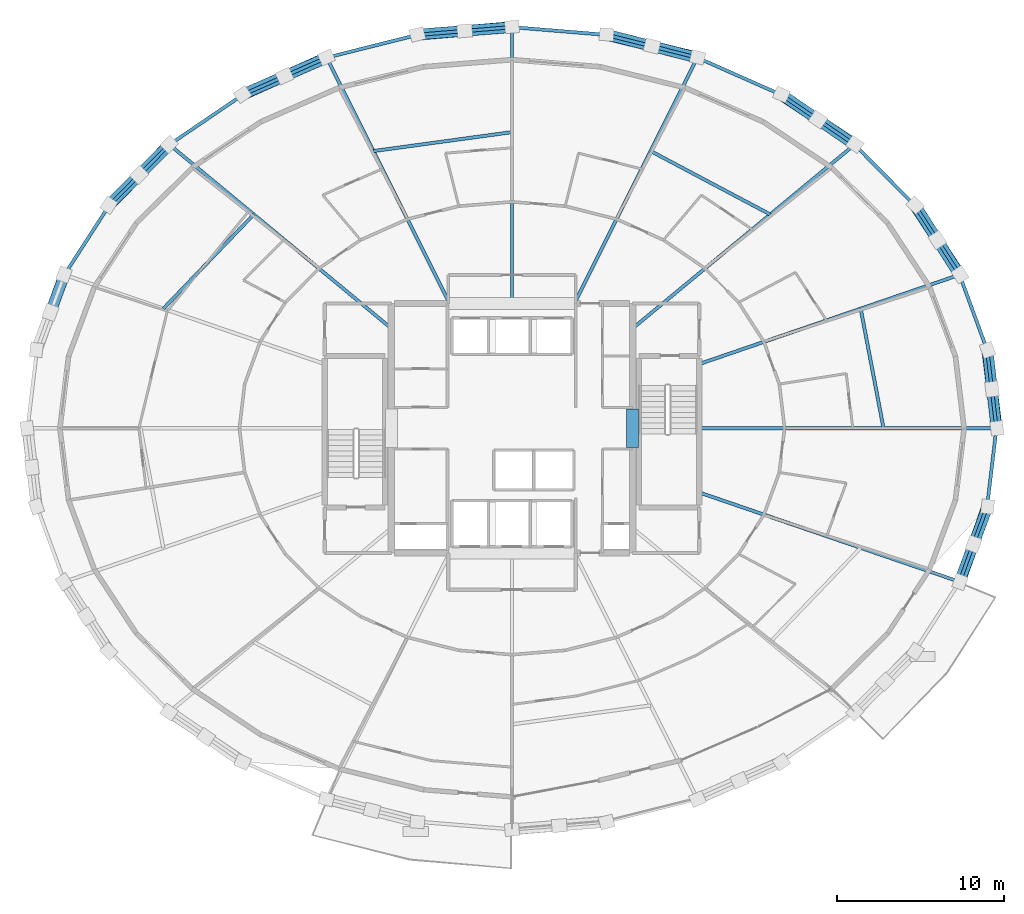
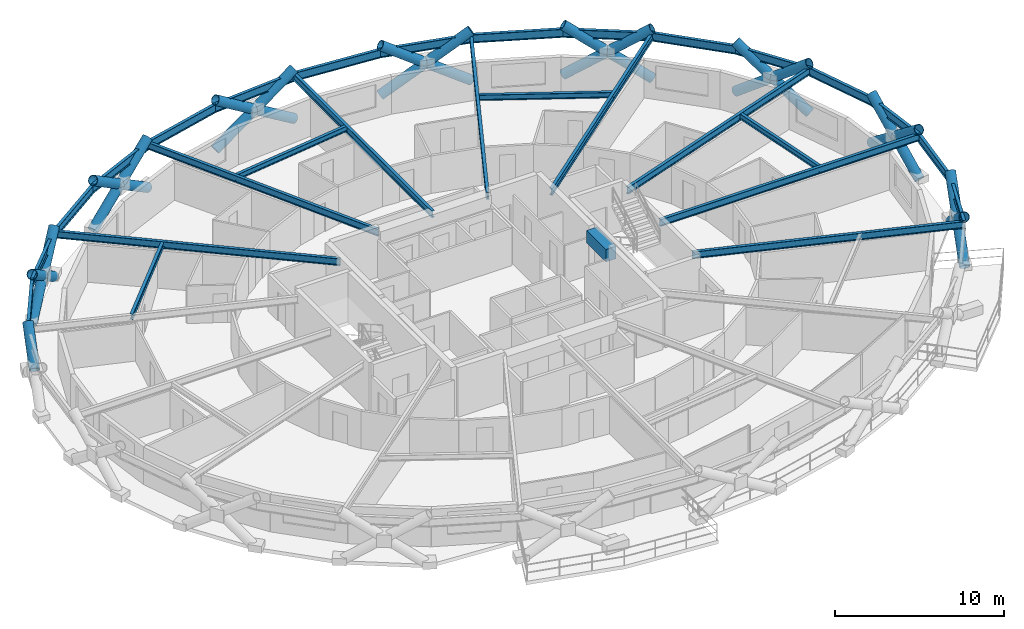
# One storey, part 7 of 14: 29 beams, 25 members.
"""IFC4 building model written with IfcOpenShell, lengths in metres."""

from ifc_helpers import new_model, si_unit, direction, frame, origin, origin_2d, place, context, subcontext, project, spatial, rectangle, hollow_circle, i_section, extrude, material, material_profile, profile_set, type_object, element, save


model = new_model("IFC4")

# Units and contexts
model_context = context("Model", 3, precision=1e-05, world=origin(), true_north=direction((0.0, 1.0)))
body_context = subcontext(model_context, "Body", "Model", "MODEL_VIEW")
ifc_project = project(units=[si_unit("LENGTHUNIT", "METRE"), si_unit("AREAUNIT", "SQUARE_METRE"), si_unit("VOLUMEUNIT", "CUBIC_METRE"), si_unit("PLANEANGLEUNIT", "RADIAN"), si_unit("MASSUNIT", "GRAM", prefix="KILO")], contexts=[model_context])

# Site, building, storey
site_placement = place(None, origin())
site = spatial("IfcSite", under=ifc_project, at=site_placement, CompositionType="ELEMENT")
building_placement = place(site_placement, origin())
building = spatial("IfcBuilding", under=site, at=building_placement, Name="Veldorina Hangang Commons", CompositionType="ELEMENT")
storey_placement = place(building_placement, frame((0.0, 0.0, 88.0)))
storey = spatial("IfcBuildingStorey", under=building, at=storey_placement, Name="L22", CompositionType="ELEMENT", Elevation=88.0)

# Beams
ifc_material_1 = material(Name="Concrete C70/85", Category="concrete")
ifc_material_profile_1 = material_profile(ifc_material_1, rectangle(XDim=0.699951171875, YDim=0.89990234375, at=origin_2d()), Name="RC-CB-700x900")
ifc_profile_set_1 = profile_set([ifc_material_profile_1], Name="Concrete C70/85")
beam_type_1 = type_object("IfcBeamType", Name="BM-CB900", PredefinedType="LINTEL", material=ifc_profile_set_1)
beam_1_placement = place(storey_placement, frame((39.199951171875, 22.85009765625, 2.889892578125), z_axis=(0.0, 1.0, 0.0), x_axis=(-1.0, 0.0, 0.0)))
element("IfcBeam", 1, at=beam_1_placement, inside=storey, type_object=beam_type_1, Name="L22 E core coupling lintel beam", PredefinedType="LINTEL", context=body_context, shape_type="SweptSolid", body=[
    extrude(rectangle(XDim=0.699951171875, YDim=0.89990234375, at=origin_2d()), origin(), (0.0, 0.0, 1.0), 2.2998046875),
])
ifc_material_2 = material(Name="Steel SM420-TMC", Category="steel")
ifc_material_profile_2 = material_profile(ifc_material_2, i_section(OverallWidth=0.199951171875, OverallDepth=0.5, WebThickness=0.010009765625, FlangeThickness=0.01611328125, FilletRadius=0.01611328125, at=origin_2d()), Name="H-500x200x10x16")
ifc_profile_set_2 = profile_set([ifc_material_profile_2], Name="Steel SM420-TMC")
beam_type_2 = type_object("IfcBeamType", Name="BM-FG500", PredefinedType="BEAM", material=ifc_profile_set_2)
beam_2_placement = place(storey_placement, frame((43.179931640625, 24.0, 3.090087890625), z_axis=(1.0, 0.0, 0.0), x_axis=(0.0, 1.0, 0.0)))
element("IfcBeam", 2, at=beam_2_placement, inside=storey, type_object=beam_type_2, Name="L22 radial floor girder 01", PredefinedType="BEAM", context=body_context, shape_type="SweptSolid", body=[
    extrude(i_section(OverallWidth=0.199951171875, OverallDepth=0.5, WebThickness=0.010009765625, FlangeThickness=0.01611328125, FilletRadius=0.01611328125, at=origin_2d()), origin(), (0.0, 0.0, 1.0), 17.746337890625),
])
beam_3_placement = place(storey_placement, frame((43.179931640625, 27.833984375, 3.090087890625), z_axis=(0.945921851498, 0.32439459129, 0.0), x_axis=(-0.32439459129, 0.945921851498, 0.0)))
element("IfcBeam", 3, at=beam_3_placement, inside=storey, type_object=beam_type_2, Name="L22 radial floor girder 02", PredefinedType="BEAM", context=body_context, shape_type="SweptSolid", body=[
    extrude(i_section(OverallWidth=0.199951171875, OverallDepth=0.5, WebThickness=0.010009765625, FlangeThickness=0.01611328125, FilletRadius=0.01611328125, at=origin_2d()), origin(), (0.0, 0.0, 1.0), 16.43310546875),
])
beam_4_placement = place(storey_placement, frame((39.199951171875, 29.9609375, 3.090087890625), z_axis=(0.770268862068, 0.637719280035, 0.0), x_axis=(-0.637719280035, 0.770268862068, 0.0)))
element("IfcBeam", 4, at=beam_4_placement, inside=storey, type_object=beam_type_2, Name="L22 radial floor girder 03", PredefinedType="BEAM", context=body_context, shape_type="SweptSolid", body=[
    extrude(i_section(OverallWidth=0.199951171875, OverallDepth=0.5, WebThickness=0.010009765625, FlangeThickness=0.01611328125, FilletRadius=0.01611328125, at=origin_2d()), origin(), (0.0, 0.0, 1.0), 17.206787109375),
])
beam_5_placement = place(storey_placement, frame((35.727294921875, 31.449951171875, 3.090087890625), z_axis=(0.447439726176, 0.894314089926, 0.0), x_axis=(-0.894314089926, 0.447439726176, 0.0)))
element("IfcBeam", 5, at=beam_5_placement, inside=storey, type_object=beam_type_2, Name="L22 radial floor girder 04", PredefinedType="BEAM", context=body_context, shape_type="SweptSolid", body=[
    extrude(i_section(OverallWidth=0.199951171875, OverallDepth=0.5, WebThickness=0.010009765625, FlangeThickness=0.01611328125, FilletRadius=0.01611328125, at=origin_2d()), origin(), (0.0, 0.0, 1.0), 16.40966796875),
])
beam_6_placement = place(storey_placement, frame((32.0, 31.449951171875, 3.090087890625), z_axis=(0.0, 1.0, 0.0), x_axis=(-1.0, 0.0, 0.0)))
element("IfcBeam", 6, at=beam_6_placement, inside=storey, type_object=beam_type_2, Name="L22 radial floor girder 05", PredefinedType="BEAM", context=body_context, shape_type="SweptSolid", body=[
    extrude(i_section(OverallWidth=0.199951171875, OverallDepth=0.5, WebThickness=0.010009765625, FlangeThickness=0.01611328125, FilletRadius=0.01611328125, at=origin_2d()), origin(), (0.0, 0.0, 1.0), 16.498291015625),
])
beam_7_placement = place(storey_placement, frame((28.272705078125, 31.449951171875, 3.090087890625), z_axis=(-0.447439726176, 0.894314089926, 0.0), x_axis=(-0.894314089926, -0.447439726176, 0.0)))
element("IfcBeam", 7, at=beam_7_placement, inside=storey, type_object=beam_type_2, Name="L22 radial floor girder 06", PredefinedType="BEAM", context=body_context, shape_type="SweptSolid", body=[
    extrude(i_section(OverallWidth=0.199951171875, OverallDepth=0.5, WebThickness=0.010009765625, FlangeThickness=0.01611328125, FilletRadius=0.01611328125, at=origin_2d()), origin(), (0.0, 0.0, 1.0), 16.40966796875),
])
beam_8_placement = place(storey_placement, frame((24.800048828125, 29.9609375, 3.090087890625), z_axis=(-0.770268862068, 0.637719280035, 0.0), x_axis=(-0.637719280035, -0.770268862068, 0.0)))
element("IfcBeam", 8, at=beam_8_placement, inside=storey, type_object=beam_type_2, Name="L22 radial floor girder 07", PredefinedType="BEAM", context=body_context, shape_type="SweptSolid", body=[
    extrude(i_section(OverallWidth=0.199951171875, OverallDepth=0.5, WebThickness=0.010009765625, FlangeThickness=0.01611328125, FilletRadius=0.01611328125, at=origin_2d()), origin(), (0.0, 0.0, 1.0), 17.206787109375),
])
beam_9_placement = place(storey_placement, frame((43.179931640625, 20.166015625, 3.090087890625), z_axis=(0.945921851498, -0.32439459129, 0.0), x_axis=(0.32439459129, 0.945921851498, 0.0)))
element("IfcBeam", 9, at=beam_9_placement, inside=storey, type_object=beam_type_2, Name="L22 radial floor girder 16", PredefinedType="BEAM", context=body_context, shape_type="SweptSolid", body=[
    extrude(i_section(OverallWidth=0.199951171875, OverallDepth=0.5, WebThickness=0.010009765625, FlangeThickness=0.01611328125, FilletRadius=0.01611328125, at=origin_2d()), origin(), (0.0, 0.0, 1.0), 16.43310546875),
])
ifc_material_3 = material(Name="Steel SM355-TMC", Category="steel")
ifc_material_profile_3 = material_profile(ifc_material_3, i_section(OverallWidth=0.199951171875, OverallDepth=0.39990234375, WebThickness=0.008056640625, FlangeThickness=0.012939453125, FilletRadius=0.012939453125, at=origin_2d()), Name="H-400x200x8x13")
ifc_profile_set_3 = profile_set([ifc_material_profile_3], Name="Steel SM355-TMC")
beam_type_3 = type_object("IfcBeamType", Name="BM-JST400", PredefinedType="JOIST", material=ifc_profile_set_3)
beam_10_placement = place(storey_placement, frame((54.1826171875, 24.0, 3.139892578125), z_axis=(-0.187834422756, 0.982200707406, 0.0), x_axis=(-0.982200707406, -0.187834422756, 0.0)))
element("IfcBeam", 10, at=beam_10_placement, inside=storey, type_object=beam_type_3, Name="L22 secondary floor joist 01", PredefinedType="JOIST", context=body_context, shape_type="SweptSolid", body=[
    extrude(i_section(OverallWidth=0.199951171875, OverallDepth=0.39990234375, WebThickness=0.008056640625, FlangeThickness=0.012939453125, FilletRadius=0.012939453125, at=origin_2d()), origin(), (0.0, 0.0, 1.0), 7.268310546875),
])
beam_11_placement = place(storey_placement, frame((47.41748046875, 36.764404296875, 3.139892578125), z_axis=(-0.883518002063, 0.468397203269, 0.0), x_axis=(-0.468397203269, -0.883518002063, 0.0)))
element("IfcBeam", 11, at=beam_11_placement, inside=storey, type_object=beam_type_3, Name="L22 secondary floor joist 03", PredefinedType="JOIST", context=body_context, shape_type="SweptSolid", body=[
    extrude(i_section(OverallWidth=0.199951171875, OverallDepth=0.39990234375, WebThickness=0.008056640625, FlangeThickness=0.012939453125, FilletRadius=0.012939453125, at=origin_2d()), origin(), (0.0, 0.0, 1.0), 8.0791015625),
])
beam_12_placement = place(storey_placement, frame((32.0, 41.678955078125, 3.139892578125), z_axis=(-0.990808643362, -0.135270958593, 0.0), x_axis=(0.135270958593, -0.990808643362, 0.0)))
element("IfcBeam", 12, at=beam_12_placement, inside=storey, type_object=beam_type_3, Name="L22 secondary floor joist 05", PredefinedType="JOIST", context=body_context, shape_type="SweptSolid", body=[
    extrude(i_section(OverallWidth=0.199951171875, OverallDepth=0.39990234375, WebThickness=0.008056640625, FlangeThickness=0.012939453125, FilletRadius=0.012939453125, at=origin_2d()), origin(), (0.0, 0.0, 1.0), 8.3564453125),
])
beam_13_placement = place(storey_placement, frame((16.58251953125, 36.764404296875, 3.139892578125), z_axis=(-0.692494026945, -0.721423608322, 0.0), x_axis=(0.721423608322, -0.692494026945, 0.0)))
element("IfcBeam", 13, at=beam_13_placement, inside=storey, type_object=beam_type_3, Name="L22 secondary floor joist 07", PredefinedType="JOIST", context=body_context, shape_type="SweptSolid", body=[
    extrude(i_section(OverallWidth=0.199951171875, OverallDepth=0.39990234375, WebThickness=0.008056640625, FlangeThickness=0.012939453125, FilletRadius=0.012939453125, at=origin_2d()), origin(), (0.0, 0.0, 1.0), 7.7978515625),
])
ifc_material_profile_4 = material_profile(ifc_material_2, i_section(OverallWidth=0.199951171875, OverallDepth=0.60009765625, WebThickness=0.010986328125, FlangeThickness=0.01708984375, FilletRadius=0.01806640625, at=origin_2d()), Name="H-600x200x11x17")
ifc_profile_set_4 = profile_set([ifc_material_profile_4], Name="Steel SM420-TMC")
beam_type_4 = type_object("IfcBeamType", Name="BM-RB600", PredefinedType="BEAM", material=ifc_profile_set_4)
beam_14_placement = place(storey_placement, frame((60.92626953125, 24.0, 3.0400390625), z_axis=(-0.118150762233, 0.992995668361, 0.0), x_axis=(-0.992995668361, -0.118150762233, 0.0)))
element("IfcBeam", 14, at=beam_14_placement, inside=storey, type_object=beam_type_4, Name="L22 perimeter hoop ring beam 00", PredefinedType="BEAM", context=body_context, shape_type="SweptSolid", body=[
    extrude(i_section(OverallWidth=0.199951171875, OverallDepth=0.60009765625, WebThickness=0.010986328125, FlangeThickness=0.01708984375, FilletRadius=0.01806640625, at=origin_2d()), origin(), (0.0, 0.0, 1.0), 4.705078125),
])
beam_15_placement = place(storey_placement, frame((60.370361328125, 28.672119140625, 3.0400390625), z_axis=(-0.344011755789, 0.938965341149, 0.0), x_axis=(-0.938965341149, -0.344011755789, 0.0)))
element("IfcBeam", 15, at=beam_15_placement, inside=storey, type_object=beam_type_4, Name="L22 perimeter hoop ring beam 01", PredefinedType="BEAM", context=body_context, shape_type="SweptSolid", body=[
    extrude(i_section(OverallWidth=0.199951171875, OverallDepth=0.60009765625, WebThickness=0.010986328125, FlangeThickness=0.01708984375, FilletRadius=0.01806640625, at=origin_2d()), origin(), (0.0, 0.0, 1.0), 4.78466796875),
])
beam_16_placement = place(storey_placement, frame((58.724365234375, 33.164794921875, 3.0400390625), z_axis=(-0.542419093308, 0.840108044965, 0.0), x_axis=(-0.840108044965, -0.542419093308, 0.0)))
element("IfcBeam", 16, at=beam_16_placement, inside=storey, type_object=beam_type_4, Name="L22 perimeter hoop ring beam 02", PredefinedType="BEAM", context=body_context, shape_type="SweptSolid", body=[
    extrude(i_section(OverallWidth=0.199951171875, OverallDepth=0.60009765625, WebThickness=0.010986328125, FlangeThickness=0.01708984375, FilletRadius=0.01806640625, at=origin_2d()), origin(), (0.0, 0.0, 1.0), 4.927978515625),
])
beam_17_placement = place(storey_placement, frame((56.05126953125, 37.304931640625, 3.0400390625), z_axis=(-0.703994455106, 0.710205468283, 0.0), x_axis=(-0.710205468283, -0.703994455106, 0.0)))
element("IfcBeam", 17, at=beam_17_placement, inside=storey, type_object=beam_type_4, Name="L22 perimeter hoop ring beam 03", PredefinedType="BEAM", context=body_context, shape_type="SweptSolid", body=[
    extrude(i_section(OverallWidth=0.199951171875, OverallDepth=0.60009765625, WebThickness=0.010986328125, FlangeThickness=0.01708984375, FilletRadius=0.01806640625, at=origin_2d()), origin(), (0.0, 0.0, 1.0), 5.110107421875),
])
beam_18_placement = place(storey_placement, frame((52.453857421875, 40.93408203125, 3.0400390625), z_axis=(-0.827134666124, 0.562003775874, 0.0), x_axis=(-0.562003775874, -0.827134666124, 0.0)))
element("IfcBeam", 18, at=beam_18_placement, inside=storey, type_object=beam_type_4, Name="L22 perimeter hoop ring beam 04", PredefinedType="BEAM", context=body_context, shape_type="SweptSolid", body=[
    extrude(i_section(OverallWidth=0.199951171875, OverallDepth=0.60009765625, WebThickness=0.010986328125, FlangeThickness=0.01708984375, FilletRadius=0.01806640625, at=origin_2d()), origin(), (0.0, 0.0, 1.0), 5.29931640625),
])
beam_19_placement = place(storey_placement, frame((48.070556640625, 43.912353515625, 3.0400390625), z_axis=(-0.914473077645, 0.404646747499, 0.0), x_axis=(-0.404646747499, -0.914473077645, 0.0)))
element("IfcBeam", 19, at=beam_19_placement, inside=storey, type_object=beam_type_4, Name="L22 perimeter hoop ring beam 05", PredefinedType="BEAM", context=body_context, shape_type="SweptSolid", body=[
    extrude(i_section(OverallWidth=0.199951171875, OverallDepth=0.60009765625, WebThickness=0.010986328125, FlangeThickness=0.01708984375, FilletRadius=0.01806640625, at=origin_2d()), origin(), (0.0, 0.0, 1.0), 5.46875),
])
beam_20_placement = place(storey_placement, frame((43.069580078125, 46.125244140625, 3.0400390625), z_axis=(-0.969880111736, 0.243582776195, 0.0), x_axis=(-0.243582776195, -0.969880111736, 0.0)))
element("IfcBeam", 20, at=beam_20_placement, inside=storey, type_object=beam_type_4, Name="L22 perimeter hoop ring beam 06", PredefinedType="BEAM", context=body_context, shape_type="SweptSolid", body=[
    extrude(i_section(OverallWidth=0.199951171875, OverallDepth=0.60009765625, WebThickness=0.010986328125, FlangeThickness=0.01708984375, FilletRadius=0.01806640625, at=origin_2d()), origin(), (0.0, 0.0, 1.0), 5.5947265625),
])
for number, where, z_axis, x_axis, name in (
    (21, (37.643310546875, 47.488037109375, 3.0400390625), (-0.99669139149, 0.081278964869, 0.0), (-0.081278964869, -0.99669139149, 0.0), "L22 perimeter hoop ring beam 07"),
    (22, (32.0, 47.9482421875, 3.0400390625), (-0.99669139149, -0.081278964869, 0.0), (0.081278964869, -0.99669139149, 0.0), "L22 perimeter hoop ring beam 08"),
):
    element("IfcBeam", number, at=place(storey_placement, frame(where, z_axis=z_axis, x_axis=x_axis)), inside=storey, type_object=beam_type_4, Name=name, PredefinedType="BEAM", context=body_context, shape_type="SweptSolid", body=[
        extrude(i_section(OverallWidth=0.199951171875, OverallDepth=0.60009765625, WebThickness=0.010986328125, FlangeThickness=0.01708984375, FilletRadius=0.01806640625, at=origin_2d()), origin(), (0.0, 0.0, 1.0), 5.662109375),
    ])
beam_21_placement = place(storey_placement, frame((26.356689453125, 47.488037109375, 3.0400390625), z_axis=(-0.969880111736, -0.243582776195, 0.0), x_axis=(0.243582776195, -0.969880111736, 0.0)))
element("IfcBeam", 23, at=beam_21_placement, inside=storey, type_object=beam_type_4, Name="L22 perimeter hoop ring beam 09", PredefinedType="BEAM", context=body_context, shape_type="SweptSolid", body=[
    extrude(i_section(OverallWidth=0.199951171875, OverallDepth=0.60009765625, WebThickness=0.010986328125, FlangeThickness=0.01708984375, FilletRadius=0.01806640625, at=origin_2d()), origin(), (0.0, 0.0, 1.0), 5.5947265625),
])
beam_22_placement = place(storey_placement, frame((20.930419921875, 46.125244140625, 3.0400390625), z_axis=(-0.914473077645, -0.404646747499, 0.0), x_axis=(0.404646747499, -0.914473077645, 0.0)))
element("IfcBeam", 24, at=beam_22_placement, inside=storey, type_object=beam_type_4, Name="L22 perimeter hoop ring beam 10", PredefinedType="BEAM", context=body_context, shape_type="SweptSolid", body=[
    extrude(i_section(OverallWidth=0.199951171875, OverallDepth=0.60009765625, WebThickness=0.010986328125, FlangeThickness=0.01708984375, FilletRadius=0.01806640625, at=origin_2d()), origin(), (0.0, 0.0, 1.0), 5.46875),
])
beam_23_placement = place(storey_placement, frame((15.929443359375, 43.912353515625, 3.0400390625), z_axis=(-0.827134666124, -0.562003775874, 0.0), x_axis=(0.562003775874, -0.827134666124, 0.0)))
element("IfcBeam", 25, at=beam_23_placement, inside=storey, type_object=beam_type_4, Name="L22 perimeter hoop ring beam 11", PredefinedType="BEAM", context=body_context, shape_type="SweptSolid", body=[
    extrude(i_section(OverallWidth=0.199951171875, OverallDepth=0.60009765625, WebThickness=0.010986328125, FlangeThickness=0.01708984375, FilletRadius=0.01806640625, at=origin_2d()), origin(), (0.0, 0.0, 1.0), 5.29931640625),
])
beam_24_placement = place(storey_placement, frame((11.546142578125, 40.93408203125, 3.0400390625), z_axis=(-0.703994455106, -0.710205468283, 0.0), x_axis=(0.710205468283, -0.703994455106, 0.0)))
element("IfcBeam", 26, at=beam_24_placement, inside=storey, type_object=beam_type_4, Name="L22 perimeter hoop ring beam 12", PredefinedType="BEAM", context=body_context, shape_type="SweptSolid", body=[
    extrude(i_section(OverallWidth=0.199951171875, OverallDepth=0.60009765625, WebThickness=0.010986328125, FlangeThickness=0.01708984375, FilletRadius=0.01806640625, at=origin_2d()), origin(), (0.0, 0.0, 1.0), 5.110107421875),
])
beam_25_placement = place(storey_placement, frame((7.94873046875, 37.304931640625, 3.0400390625), z_axis=(-0.542419093308, -0.840108044965, 0.0), x_axis=(0.840108044965, -0.542419093308, 0.0)))
element("IfcBeam", 27, at=beam_25_placement, inside=storey, type_object=beam_type_4, Name="L22 perimeter hoop ring beam 13", PredefinedType="BEAM", context=body_context, shape_type="SweptSolid", body=[
    extrude(i_section(OverallWidth=0.199951171875, OverallDepth=0.60009765625, WebThickness=0.010986328125, FlangeThickness=0.01708984375, FilletRadius=0.01806640625, at=origin_2d()), origin(), (0.0, 0.0, 1.0), 4.927978515625),
])
beam_26_placement = place(storey_placement, frame((58.724365234375, 14.835205078125, 3.0400390625), z_axis=(0.344011755789, 0.938965341149, 0.0), x_axis=(-0.938965341149, 0.344011755789, 0.0)))
element("IfcBeam", 28, at=beam_26_placement, inside=storey, type_object=beam_type_4, Name="L22 perimeter hoop ring beam 30", PredefinedType="BEAM", context=body_context, shape_type="SweptSolid", body=[
    extrude(i_section(OverallWidth=0.199951171875, OverallDepth=0.60009765625, WebThickness=0.010986328125, FlangeThickness=0.01708984375, FilletRadius=0.01806640625, at=origin_2d()), origin(), (0.0, 0.0, 1.0), 4.78466796875),
])
beam_27_placement = place(storey_placement, frame((60.370361328125, 19.327880859375, 3.0400390625), z_axis=(0.118150762233, 0.992995668361, 0.0), x_axis=(-0.992995668361, 0.118150762233, 0.0)))
element("IfcBeam", 29, at=beam_27_placement, inside=storey, type_object=beam_type_4, Name="L22 perimeter hoop ring beam 31", PredefinedType="BEAM", context=body_context, shape_type="SweptSolid", body=[
    extrude(i_section(OverallWidth=0.199951171875, OverallDepth=0.60009765625, WebThickness=0.010986328125, FlangeThickness=0.01708984375, FilletRadius=0.01806640625, at=origin_2d()), origin(), (0.0, 0.0, 1.0), 4.705078125),
])

# Members
ifc_material_4 = material(Name="Steel SM460-TMC", Category="steel")
ifc_material_profile_5 = material_profile(ifc_material_4, hollow_circle(Radius=0.324951171875, WallThickness=0.031982421875, at=origin_2d()), Name="CHS-650x32")
ifc_profile_set_5 = profile_set([ifc_material_profile_5], Name="Steel SM460-TMC")
member_type = type_object("IfcMemberType", Name="DG-CHS650", PredefinedType="BRACE", material=ifc_profile_set_5)
member_1_placement = place(storey_placement, frame((60.95166015625, 24.0, 0.0), z_axis=(-0.098863888607, 0.78819235192, 0.607436208917), x_axis=(-0.992225132859, -0.124455958966, 0.0)))
element("IfcMember", 30, at=member_1_placement, inside=storey, type_object=member_type, Name="L22 continuous perimeter diagrid brace 00", PredefinedType="BRACE", context=body_context, shape_type="SweptSolid", body=[
    extrude(hollow_circle(Radius=0.324951171875, WallThickness=0.031982421875, at=origin_2d()), origin(), (0.0, 0.0, 1.0), 5.9267578125),
])
member_2_placement = place(storey_placement, frame((60.3955078125, 28.675537109375, 0.0), z_axis=(0.088813907246, -0.789191481924, 0.607691446985), x_axis=(0.993727137686, 0.111831908803, 0.0)))
element("IfcMember", 31, at=member_2_placement, inside=storey, type_object=member_type, Name="L22 split perimeter diagrid lower brace 01", PredefinedType="BRACE", context=body_context, shape_type="SweptSolid", body=[
    extrude(hollow_circle(Radius=0.324951171875, WallThickness=0.031982421875, at=origin_2d()), origin(), (0.0, 0.0, 1.0), 2.96337890625),
])
member_3_placement = place(storey_placement, frame((60.65869140625, 26.3369140625, 1.80078125), z_axis=(0.088717458909, -0.789222599138, 0.607665122822), x_axis=(0.993741115811, 0.111707630653, 0.0)))
element("IfcMember", 32, at=member_3_placement, inside=storey, type_object=member_type, Name="L22 split perimeter diagrid upper brace 01", PredefinedType="BRACE", context=body_context, shape_type="SweptSolid", body=[
    extrude(hollow_circle(Radius=0.324951171875, WallThickness=0.031982421875, at=origin_2d()), origin(), (0.0, 0.0, 1.0), 2.9609375),
])
member_4_placement = place(storey_placement, frame((58.747802734375, 33.17138671875, 0.0), z_axis=(-0.442023574438, 0.676282881314, 0.589284841213), x_axis=(-0.837061095875, -0.547109423948, 0.0)))
element("IfcMember", 33, at=member_4_placement, inside=storey, type_object=member_type, Name="L22 continuous perimeter diagrid brace 02", PredefinedType="BRACE", context=body_context, shape_type="SweptSolid", body=[
    extrude(hollow_circle(Radius=0.324951171875, WallThickness=0.031982421875, at=origin_2d()), origin(), (0.0, 0.0, 1.0), 6.109375),
])
member_5_placement = place(storey_placement, frame((56.072509765625, 37.31494140625, 0.0), z_axis=(0.434086079817, -0.680614966807, 0.590197036817), x_axis=(0.84311822647, 0.537728236374, 0.0)))
element("IfcMember", 34, at=member_5_placement, inside=storey, type_object=member_type, Name="L22 split perimeter diagrid lower brace 03", PredefinedType="BRACE", context=body_context, shape_type="SweptSolid", body=[
    extrude(hollow_circle(Radius=0.324951171875, WallThickness=0.031982421875, at=origin_2d()), origin(), (0.0, 0.0, 1.0), 3.05126953125),
])
member_6_placement = place(storey_placement, frame((57.39697265625, 35.23828125, 1.80078125), z_axis=(0.433984839088, -0.680649039935, 0.590232194884), x_axis=(0.843187284607, 0.537619942968, 0.0)))
element("IfcMember", 35, at=member_6_placement, inside=storey, type_object=member_type, Name="L22 split perimeter diagrid upper brace 03", PredefinedType="BRACE", context=body_context, shape_type="SweptSolid", body=[
    extrude(hollow_circle(Radius=0.324951171875, WallThickness=0.031982421875, at=origin_2d()), origin(), (0.0, 0.0, 1.0), 3.048583984375),
])
member_7_placement = place(storey_placement, frame((52.471923828125, 40.94677734375, 0.0), z_axis=(-0.686679125128, 0.461935317004, 0.561326591227), x_axis=(-0.558166328951, -0.829729081825, 0.0)))
element("IfcMember", 36, at=member_7_placement, inside=storey, type_object=member_type, Name="L22 continuous perimeter diagrid brace 04", PredefinedType="BRACE", context=body_context, shape_type="SweptSolid", body=[
    extrude(hollow_circle(Radius=0.324951171875, WallThickness=0.031982421875, at=origin_2d()), origin(), (0.0, 0.0, 1.0), 6.41357421875),
])
member_8_placement = place(storey_placement, frame((48.084716796875, 43.92724609375, 0.0), z_axis=(0.681905441312, -0.467866711242, 0.562232789528), x_axis=(0.565754031304, 0.824574057355, 0.0)))
element("IfcMember", 37, at=member_8_placement, inside=storey, type_object=member_type, Name="L22 split perimeter diagrid lower brace 05", PredefinedType="BRACE", context=body_context, shape_type="SweptSolid", body=[
    extrude(hollow_circle(Radius=0.324951171875, WallThickness=0.031982421875, at=origin_2d()), origin(), (0.0, 0.0, 1.0), 3.202880859375),
])
member_9_placement = place(storey_placement, frame((50.268798828125, 42.4287109375, 1.80078125), z_axis=(0.681859625784, -0.467848632126, 0.562303395102), x_axis=(0.565765012614, 0.824566522787, 0.0)))
element("IfcMember", 38, at=member_9_placement, inside=storey, type_object=member_type, Name="L22 split perimeter diagrid upper brace 05", PredefinedType="BRACE", context=body_context, shape_type="SweptSolid", body=[
    extrude(hollow_circle(Radius=0.324951171875, WallThickness=0.031982421875, at=origin_2d()), origin(), (0.0, 0.0, 1.0), 3.199951171875),
])
member_10_placement = place(storey_placement, frame((43.079345703125, 46.141845703125, 0.0), z_axis=(-0.816645302248, 0.201722757417, 0.540738734933), x_axis=(-0.239806243825, -0.970820768949, 0.0)))
element("IfcMember", 39, at=member_10_placement, inside=storey, type_object=member_type, Name="L22 continuous perimeter diagrid brace 06", PredefinedType="BRACE", context=body_context, shape_type="SweptSolid", body=[
    extrude(hollow_circle(Radius=0.324951171875, WallThickness=0.031982421875, at=origin_2d()), origin(), (0.0, 0.0, 1.0), 6.65771484375),
])
member_11_placement = place(storey_placement, frame((37.648193359375, 47.505615234375, 0.0), z_axis=(0.814788423455, -0.207934299151, 0.541186799766), x_axis=(0.24727518787, 0.968945293329, 0.0)))
element("IfcMember", 40, at=member_11_placement, inside=storey, type_object=member_type, Name="L22 split perimeter diagrid lower brace 07", PredefinedType="BRACE", context=body_context, shape_type="SweptSolid", body=[
    extrude(hollow_circle(Radius=0.324951171875, WallThickness=0.031982421875, at=origin_2d()), origin(), (0.0, 0.0, 1.0), 3.327392578125),
])
member_12_placement = place(storey_placement, frame((40.359375, 46.813720703125, 1.80078125), z_axis=(0.81473607557, -0.207980220481, 0.541247960785), x_axis=(0.247341376217, 0.968928399631, 0.0)))
element("IfcMember", 41, at=member_12_placement, inside=storey, type_object=member_type, Name="L22 split perimeter diagrid upper brace 07", PredefinedType="BRACE", context=body_context, shape_type="SweptSolid", body=[
    extrude(hollow_circle(Radius=0.324951171875, WallThickness=0.031982421875, at=origin_2d()), origin(), (0.0, 0.0, 1.0), 3.324462890625),
])
member_13_placement = place(storey_placement, frame((32.0, 47.96630859375, 0.0), z_axis=(-0.840843959954, -0.071746972828, 0.536501450975), x_axis=(0.085018395606, -0.996379381766, 0.0)))
element("IfcMember", 42, at=member_13_placement, inside=storey, type_object=member_type, Name="L22 continuous perimeter diagrid brace 08", PredefinedType="BRACE", context=body_context, shape_type="SweptSolid", body=[
    extrude(hollow_circle(Radius=0.324951171875, WallThickness=0.031982421875, at=origin_2d()), origin(), (0.0, 0.0, 1.0), 6.710205078125),
])
member_14_placement = place(storey_placement, frame((26.351806640625, 47.505615234375, 0.0), z_axis=(0.841499907038, 0.065435451558, 0.536279878548), x_axis=(-0.077526461487, 0.996990294722, 0.0)))
element("IfcMember", 43, at=member_14_placement, inside=storey, type_object=member_type, Name="L22 split perimeter diagrid lower brace 09", PredefinedType="BRACE", context=body_context, shape_type="SweptSolid", body=[
    extrude(hollow_circle(Radius=0.324951171875, WallThickness=0.031982421875, at=origin_2d()), origin(), (0.0, 0.0, 1.0), 3.35791015625),
])
member_15_placement = place(storey_placement, frame((29.177490234375, 47.725341796875, 1.80078125), z_axis=(0.841420803143, 0.065502873699, 0.53639575462), x_axis=(-0.077613112844, 0.996983552881, 0.0)))
element("IfcMember", 44, at=member_15_placement, inside=storey, type_object=member_type, Name="L22 split perimeter diagrid upper brace 09", PredefinedType="BRACE", context=body_context, shape_type="SweptSolid", body=[
    extrude(hollow_circle(Radius=0.324951171875, WallThickness=0.031982421875, at=origin_2d()), origin(), (0.0, 0.0, 1.0), 3.3544921875),
])
member_16_placement = place(storey_placement, frame((20.920654296875, 46.141845703125, 0.0), z_axis=(-0.762253072196, -0.34111692322, 0.550099535193), x_axis=(0.408474784072, -0.912769604433, 0.0)))
element("IfcMember", 45, at=member_16_placement, inside=storey, type_object=member_type, Name="L22 continuous perimeter diagrid brace 10", PredefinedType="BRACE", context=body_context, shape_type="SweptSolid", body=[
    extrude(hollow_circle(Radius=0.324951171875, WallThickness=0.031982421875, at=origin_2d()), origin(), (0.0, 0.0, 1.0), 6.54443359375),
])
member_17_placement = place(storey_placement, frame((15.915283203125, 43.92724609375, 0.0), z_axis=(0.765573830905, 0.33490131494, 0.549306670891), x_axis=(-0.400781431685, 0.916173697514, 0.0)))
element("IfcMember", 46, at=member_17_placement, inside=storey, type_object=member_type, Name="L22 split perimeter diagrid lower brace 11", PredefinedType="BRACE", context=body_context, shape_type="SweptSolid", body=[
    extrude(hollow_circle(Radius=0.324951171875, WallThickness=0.031982421875, at=origin_2d()), origin(), (0.0, 0.0, 1.0), 3.2783203125),
])
member_18_placement = place(storey_placement, frame((18.425048828125, 45.025146484375, 1.80078125), z_axis=(0.765479862388, 0.3349952772, 0.549380327763), x_axis=(-0.400917110766, 0.916114332545, 0.0)))
element("IfcMember", 47, at=member_18_placement, inside=storey, type_object=member_type, Name="L22 split perimeter diagrid upper brace 11", PredefinedType="BRACE", context=body_context, shape_type="SweptSolid", body=[
    extrude(hollow_circle(Radius=0.324951171875, WallThickness=0.031982421875, at=origin_2d()), origin(), (0.0, 0.0, 1.0), 3.275146484375),
])
member_19_placement = place(storey_placement, frame((11.528076171875, 40.94677734375, 0.0), z_axis=(-0.572369009052, -0.583312219877, 0.576316381529), x_axis=(0.71377041654, -0.700379748759, 0.0)))
element("IfcMember", 48, at=member_19_placement, inside=storey, type_object=member_type, Name="L22 continuous perimeter diagrid brace 12", PredefinedType="BRACE", context=body_context, shape_type="SweptSolid", body=[
    extrude(hollow_circle(Radius=0.324951171875, WallThickness=0.031982421875, at=origin_2d()), origin(), (0.0, 0.0, 1.0), 6.246826171875),
])
member_20_placement = place(storey_placement, frame((7.927490234375, 37.31494140625, 0.0), z_axis=(0.578856113764, 0.577920210589, 0.575268484927), x_axis=(-0.70653445708, 0.707678642435, 0.0)))
element("IfcMember", 49, at=member_20_placement, inside=storey, type_object=member_type, Name="L22 split perimeter diagrid lower brace 13", PredefinedType="BRACE", context=body_context, shape_type="SweptSolid", body=[
    extrude(hollow_circle(Radius=0.324951171875, WallThickness=0.031982421875, at=origin_2d()), origin(), (0.0, 0.0, 1.0), 3.13037109375),
])
member_21_placement = place(storey_placement, frame((9.739501953125, 39.1240234375, 1.80078125), z_axis=(0.578701599614, 0.577999007627, 0.575344771234), x_axis=(-0.706677146805, 0.707536154682, 0.0)))
element("IfcMember", 50, at=member_21_placement, inside=storey, type_object=member_type, Name="L22 split perimeter diagrid upper brace 13", PredefinedType="BRACE", context=body_context, shape_type="SweptSolid", body=[
    extrude(hollow_circle(Radius=0.324951171875, WallThickness=0.031982421875, at=origin_2d()), origin(), (0.0, 0.0, 1.0), 3.12744140625),
])
member_22_placement = place(storey_placement, frame((4.44287109375, 30.92041015625, 1.80078125), z_axis=(0.279533586012, 0.748928274916, 0.600805636893), x_axis=(-0.936868688967, 0.349681368724, 0.0)))
element("IfcMember", 51, at=member_22_placement, inside=storey, type_object=member_type, Name="L22 split perimeter diagrid upper brace 15", PredefinedType="BRACE", context=body_context, shape_type="SweptSolid", body=[
    extrude(hollow_circle(Radius=0.324951171875, WallThickness=0.031982421875, at=origin_2d()), origin(), (0.0, 0.0, 1.0), 2.994873046875),
])
member_23_placement = place(storey_placement, frame((58.747802734375, 14.82861328125, 0.0), z_axis=(0.27029842146, 0.751794251448, 0.601451716138), x_axis=(-0.941025959664, 0.338334366032, 0.0)))
element("IfcMember", 52, at=member_23_placement, inside=storey, type_object=member_type, Name="L22 continuous perimeter diagrid brace 30", PredefinedType="BRACE", context=body_context, shape_type="SweptSolid", body=[
    extrude(hollow_circle(Radius=0.324951171875, WallThickness=0.031982421875, at=origin_2d()), origin(), (0.0, 0.0, 1.0), 5.985595703125),
])
member_24_placement = place(storey_placement, frame((60.3955078125, 19.324462890625, 0.0), z_axis=(-0.279690517383, -0.748909233354, 0.600756335533), x_axis=(0.93680144903, -0.349861465576, 0.0)))
element("IfcMember", 53, at=member_24_placement, inside=storey, type_object=member_type, Name="L22 split perimeter diagrid lower brace 31", PredefinedType="BRACE", context=body_context, shape_type="SweptSolid", body=[
    extrude(hollow_circle(Radius=0.324951171875, WallThickness=0.031982421875, at=origin_2d()), origin(), (0.0, 0.0, 1.0), 2.99755859375),
])
member_25_placement = place(storey_placement, frame((59.55712890625, 17.07958984375, 1.80078125), z_axis=(-0.279533586012, -0.748928274916, 0.600805636893), x_axis=(0.936868688967, -0.349681368724, 0.0)))
element("IfcMember", 54, at=member_25_placement, inside=storey, type_object=member_type, Name="L22 split perimeter diagrid upper brace 31", PredefinedType="BRACE", context=body_context, shape_type="SweptSolid", body=[
    extrude(hollow_circle(Radius=0.324951171875, WallThickness=0.031982421875, at=origin_2d()), origin(), (0.0, 0.0, 1.0), 2.994873046875),
])

save(model, "model.ifc")
